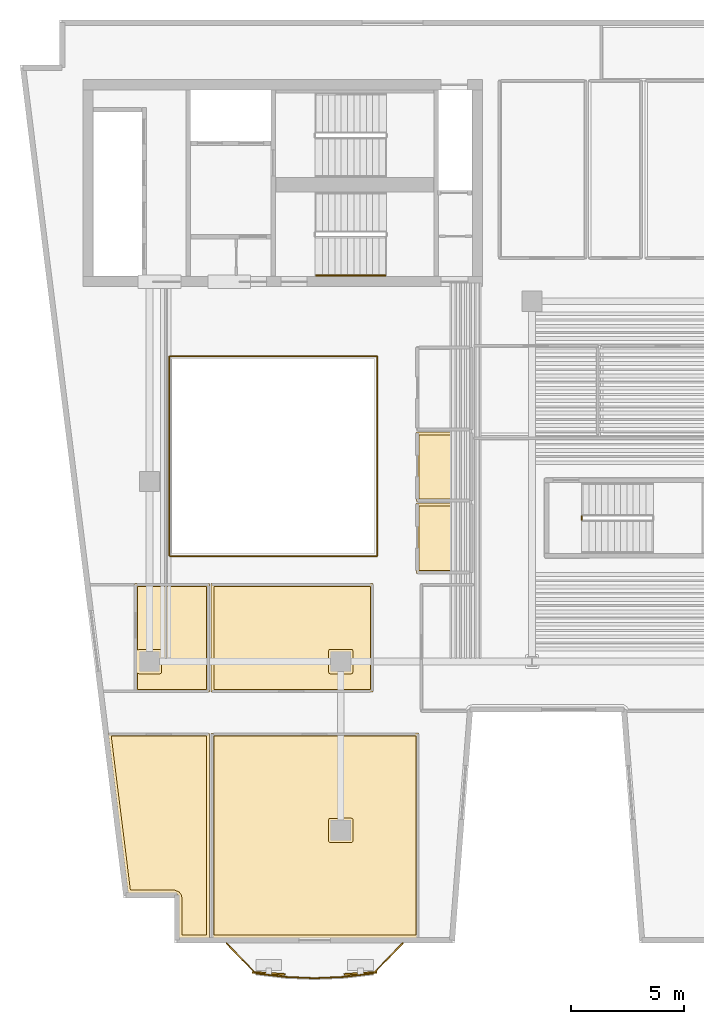
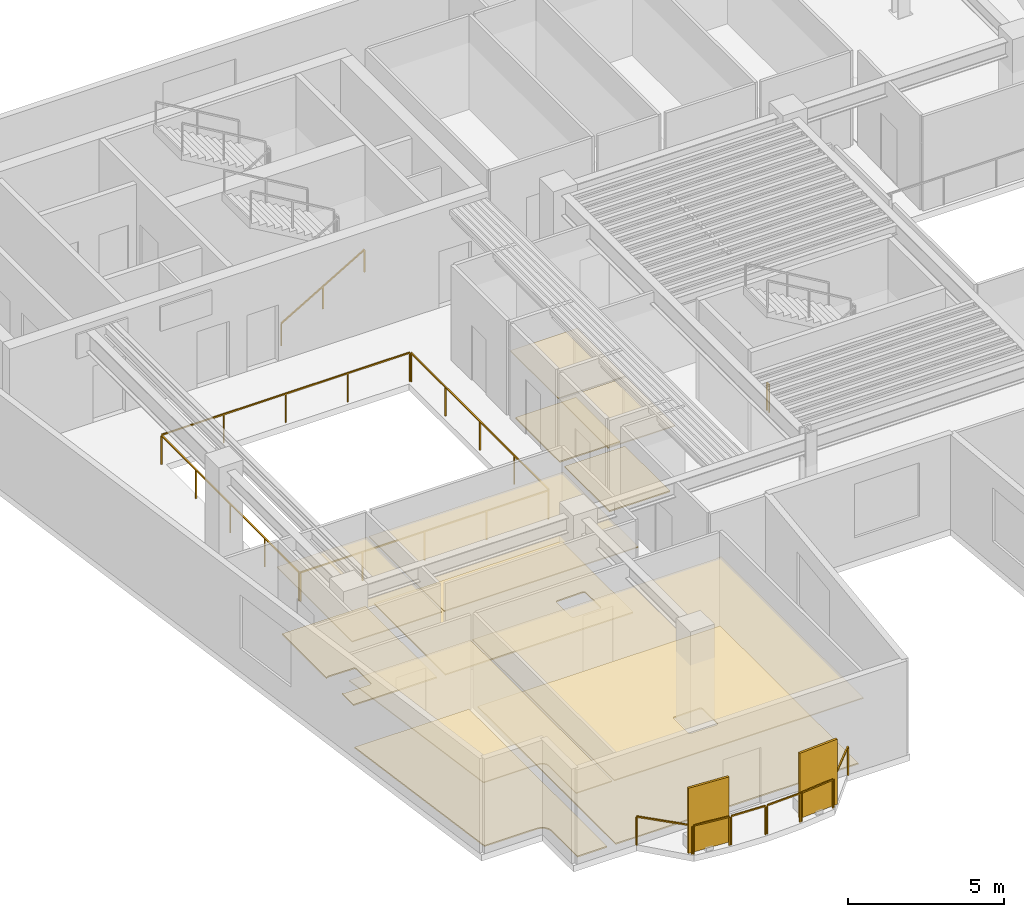
# One storey, part 7 of 9: 12 coverings, 12 railings, 2 shading devices.
"""IFC4 building model written with IfcOpenShell, lengths in metres."""

from ifc_helpers import new_model, si_unit, direction, frame, origin, origin_2d, place, context, subcontext, project, spatial, polyline, rectangle, outline, extrude, material, layer, layer_set, type_object, element, save


model = new_model("IFC4")

# Units and contexts
model_context = context("Model", 3, precision=1e-05, world=origin(), true_north=direction((0.0, 1.0)))
body_context = subcontext(model_context, "Body", "Model", "MODEL_VIEW")
ifc_project = project(units=[si_unit("LENGTHUNIT", "METRE"), si_unit("AREAUNIT", "SQUARE_METRE"), si_unit("VOLUMEUNIT", "CUBIC_METRE"), si_unit("PLANEANGLEUNIT", "RADIAN"), si_unit("MASSUNIT", "GRAM", prefix="KILO")], contexts=[model_context])

# Site, building, storey
site_placement = place(None, origin())
site = spatial("IfcSite", under=ifc_project, at=site_placement, CompositionType="ELEMENT")
building_placement = place(site_placement, origin())
building = spatial("IfcBuilding", under=site, at=building_placement, Name="Caeloran Harvest Quay", CompositionType="ELEMENT")
storey_placement = place(building_placement, frame((0.0, 0.0, 207.449951171875)))
storey = spatial("IfcBuildingStorey", under=building, at=storey_placement, Name="L49", CompositionType="ELEMENT", Elevation=207.449951171875)

# Coverings
ifc_material_1 = material(Name="Perforated Mineral-Fibre Acoustic Ceiling Tile", Category="ceiling")
ifc_layer_1 = layer(ifc_material_1, 0.0400390625, Name="Perforated Mineral-Fibre Acoustic Ceiling Tile")
ifc_layer_set_1 = layer_set([ifc_layer_1], Name="Perforated Mineral-Fibre Acoustic Ceiling Tile")
covering_type_1 = type_object("IfcCoveringType", Name="COV-CEILING-ACOUSTIC", PredefinedType="CEILING", material=ifc_layer_set_1)
covering_1_placement = place(storey_placement, frame((0.0, 0.0, 2.60009765625)))
element("IfcCovering", 1, at=covering_1_placement, inside=storey, type_object=covering_type_1, Name="L49 Female Washroom WC Acoustic Ceiling", PredefinedType="CEILING", context=body_context, shape_type="SweptSolid", body=[
    extrude(outline(polyline([(22.840087890625, 25.18994140625), (22.840087890625, 22.110107421875), (20.360107421875, 22.110107421875), (20.360107421875, 25.18994140625), (22.840087890625, 25.18994140625)])), origin(), (0.0, 0.0, 1.0), 0.0400390625),
])
covering_2_placement = place(storey_placement, frame((0.0, 0.0, 2.60009765625)))
element("IfcCovering", 2, at=covering_2_placement, inside=storey, type_object=covering_type_1, Name="L49 Accessible Unisex Washroom WC Acoustic Ceiling", PredefinedType="CEILING", context=body_context, shape_type="SweptSolid", body=[
    extrude(outline(polyline([(22.840087890625, 22.0400390625), (22.840087890625, 18.919921875), (20.360107421875, 18.919921875), (20.360107421875, 22.0400390625), (22.840087890625, 22.0400390625)])), origin(), (0.0, 0.0, 1.0), 0.0400390625),
])
covering_3_placement = place(storey_placement, frame((0.0, 0.0, 2.60009765625)))
element("IfcCovering", 3, at=covering_3_placement, inside=storey, type_object=covering_type_1, Name="Food-Security Culinary Kitchen Acoustic Ceiling", PredefinedType="CEILING", context=body_context, shape_type="SweptSolid", body=[
    extrude(outline(polyline([(11.239990234375, 11.81005859375), (20.31298828125, 11.81005859375), (20.320068359375, 11.830078125), (20.4599609375, 11.830078125), (20.4599609375, 2.719970703125), (11.239990234375, 2.719970703125), (11.239990234375, 11.81005859375)])), origin(), (0.0, 0.0, 1.0), 0.0400390625),
])
covering_4_placement = place(storey_placement, frame((0.0, 0.0, 2.60009765625)))
element("IfcCovering", 4, at=covering_4_placement, inside=storey, type_object=covering_type_1, Name="Policy Seminar Meeting Hall Acoustic Ceiling", PredefinedType="CEILING", context=body_context, shape_type="SweptSolid", body=[
    extrude(outline(polyline([(9.80615234375, 4.584228515625), (9.742431640625, 4.669921875), (9.62451171875, 4.718994140625), (7.54833984375, 4.719970703125), (6.666015625, 11.81005859375), (11.159912109375, 11.81005859375), (11.159912109375, 2.719970703125), (9.822998046875, 2.719970703125), (9.822998046875, 4.4990234375), (9.80615234375, 4.584228515625)])), origin(), (0.0, 0.0, 1.0), 0.0400390625),
])
covering_5_placement = place(storey_placement, frame((0.0, 0.0, 2.60009765625)))
element("IfcCovering", 5, at=covering_5_placement, inside=storey, type_object=covering_type_1, Name="Econometric Wet Laboratory Acoustic Ceiling", PredefinedType="CEILING", context=body_context, shape_type="SweptSolid", body=[
    extrude(outline(polyline([(7.840087890625, 13.639892578125), (7.840087890625, 18.4599609375), (11.159912109375, 18.4599609375), (11.159912109375, 13.639892578125), (7.840087890625, 13.639892578125)])), origin(), (0.0, 0.0, 1.0), 0.0400390625),
])
covering_6_placement = place(storey_placement, frame((0.0, 0.0, 2.60009765625)))
element("IfcCovering", 6, at=covering_6_placement, inside=storey, type_object=covering_type_1, Name="Fellows Tasting Kitchen Acoustic Ceiling", PredefinedType="CEILING", context=body_context, shape_type="SweptSolid", body=[
    extrude(outline(polyline([(18.429931640625, 13.639892578125), (11.239990234375, 13.639892578125), (11.239990234375, 18.4599609375), (18.429931640625, 18.4599609375), (18.429931640625, 13.639892578125)])), origin(), (0.0, 0.0, 1.0), 0.0400390625),
])
ifc_material_2 = material(Name="Calcium-Sulphate Raised Access Floor and Terrazzo Finish", Category="flooring")
ifc_layer_2 = layer(ifc_material_2, 0.050048828125, Name="Calcium-Sulphate Raised Access Floor and Terrazzo Finish")
ifc_layer_set_2 = layer_set([ifc_layer_2], Name="Calcium-Sulphate Raised Access Floor and Terrazzo Finish")
covering_type_2 = type_object("IfcCoveringType", Name="COV-FLOOR-RAISED", PredefinedType="FLOORING", material=ifc_layer_set_2)
covering_7_placement = place(storey_placement, origin())
element("IfcCovering", 7, at=covering_7_placement, inside=storey, type_object=covering_type_2, Name="L49 Female Washroom WC Raised Finish Flooring", PredefinedType="FLOORING", context=body_context, shape_type="SweptSolid", body=[
    extrude(outline(polyline([(22.719970703125, 25.070068359375), (22.719970703125, 22.22998046875), (20.47998046875, 22.22998046875), (20.47998046875, 25.070068359375), (22.719970703125, 25.070068359375)])), origin(), (0.0, 0.0, 1.0), 0.050048828125),
])
covering_8_placement = place(storey_placement, origin())
element("IfcCovering", 8, at=covering_8_placement, inside=storey, type_object=covering_type_2, Name="L49 Accessible Unisex Washroom WC Raised Finish Flooring", PredefinedType="FLOORING", context=body_context, shape_type="SweptSolid", body=[
    extrude(outline(polyline([(22.719970703125, 21.919921875), (22.719970703125, 19.0400390625), (20.47998046875, 19.0400390625), (20.47998046875, 21.919921875), (22.719970703125, 21.919921875)])), origin(), (0.0, 0.0, 1.0), 0.050048828125),
])
covering_9_placement = place(storey_placement, origin())
element("IfcCovering", 9, at=covering_9_placement, inside=storey, type_object=covering_type_2, Name="Food-Security Culinary Kitchen Raised Finish Flooring", PredefinedType="FLOORING", context=body_context, shape_type="SweptSolid", body=[
    extrude(outline(polyline([(11.360107421875, 2.840087890625), (11.360107421875, 11.68994140625), (20.340087890625, 11.69189453125), (20.340087890625, 2.840087890625), (11.360107421875, 2.840087890625)]), holes=[polyline([(17.465087890625, 8.044921875), (16.484130859375, 8.02685546875), (16.455322265625, 7.972900390625), (16.455078125, 7.034912109375), (16.478515625, 6.978515625), (16.534912109375, 6.955078125), (17.465087890625, 6.955078125), (17.521484375, 6.978515625), (17.544921875, 7.034912109375), (17.544921875, 7.965087890625), (17.521484375, 8.021484375), (17.465087890625, 8.044921875)])]), origin(), (0.0, 0.0, 1.0), 0.050048828125),
])
covering_10_placement = place(storey_placement, origin())
element("IfcCovering", 10, at=covering_10_placement, inside=storey, type_object=covering_type_2, Name="Policy Seminar Meeting Hall Raised Finish Flooring", PredefinedType="FLOORING", context=body_context, shape_type="SweptSolid", body=[
    extrude(outline(polyline([(9.91845703125, 4.62646484375), (9.815673828125, 4.76513671875), (9.63232421875, 4.838623046875), (7.654296875, 4.840087890625), (6.8017578125, 11.68994140625), (11.0400390625, 11.68994140625), (11.0400390625, 2.840087890625), (9.943115234375, 2.840087890625), (9.943115234375, 4.5), (9.91845703125, 4.62646484375)])), origin(), (0.0, 0.0, 1.0), 0.050048828125),
])
covering_11_placement = place(storey_placement, origin())
element("IfcCovering", 11, at=covering_11_placement, inside=storey, type_object=covering_type_2, Name="Econometric Wet Laboratory Raised Finish Flooring", PredefinedType="FLOORING", context=body_context, shape_type="SweptSolid", body=[
    extrude(outline(polyline([(7.9599609375, 14.50732421875), (8.027099609375, 14.455322265625), (8.965087890625, 14.455078125), (9.021484375, 14.478515625), (9.044921875, 14.534912109375), (9.044921875, 15.465087890625), (9.015869140625, 15.52685546875), (8.034912109375, 15.544921875), (7.9599609375, 15.49267578125), (7.9599609375, 18.340087890625), (11.0400390625, 18.340087890625), (11.0400390625, 13.760009765625), (7.9599609375, 13.760009765625), (7.9599609375, 14.50732421875)])), origin(), (0.0, 0.0, 1.0), 0.050048828125),
])
covering_12_placement = place(storey_placement, origin())
element("IfcCovering", 12, at=covering_12_placement, inside=storey, type_object=covering_type_2, Name="Fellows Tasting Kitchen Raised Finish Flooring", PredefinedType="FLOORING", context=body_context, shape_type="SweptSolid", body=[
    extrude(outline(polyline([(18.31005859375, 18.340087890625), (18.31005859375, 13.760009765625), (11.360107421875, 13.760009765625), (11.360107421875, 18.340087890625), (18.31005859375, 18.340087890625)]), holes=[polyline([(17.465087890625, 15.544921875), (16.484130859375, 15.52685546875), (16.455322265625, 15.472900390625), (16.455078125, 14.534912109375), (16.478515625, 14.478515625), (16.534912109375, 14.455078125), (17.465087890625, 14.455078125), (17.521484375, 14.478515625), (17.544921875, 14.534912109375), (17.544921875, 15.465087890625), (17.521484375, 15.521484375), (17.465087890625, 15.544921875)])]), origin(), (0.0, 0.0, 1.0), 0.050048828125),
])

# Railings
ifc_material_3 = material(Name="Powder-Coated Steel Post and Laminated Glass Guardrail", Category="steel")
ifc_layer_3 = layer(ifc_material_3, 0.06005859375, Name="Powder-Coated Steel Post and Laminated Glass Guardrail")
ifc_layer_set_3 = layer_set([ifc_layer_3], Name="Powder-Coated Steel Post and Laminated Glass Guardrail")
railing_type_1 = type_object("IfcRailingType", Name="GUARD-ATRIUM-1150", PredefinedType="GUARDRAIL", material=ifc_layer_set_3)
railing_1_placement = place(storey_placement, frame((9.412109375, 19.679931640625, 0.0)))
element("IfcRailing", 13, at=railing_1_placement, inside=storey, type_object=railing_type_1, Name="L49 Skylit Atrium Void Perimeter Guardrail Seg 1", PredefinedType="GUARDRAIL", context=body_context, shape_type="SweptSolid", body=[
    extrude(rectangle(XDim=0.048095703125, YDim=0.048095703125, at=origin_2d()), frame((0.0, 0.0, 1.1259765625), z_axis=(1.0, 0.0, 0.0), x_axis=(0.0, 1.0, 0.0)), (0.0, 0.0, 1.0), 9.17578125),
    extrude(rectangle(XDim=0.0419921875, YDim=0.0419921875, at=origin_2d()), origin(), (0.0, 0.0, 1.0), 1.101806640625),
    extrude(rectangle(XDim=0.0419921875, YDim=0.0419921875, at=origin_2d()), frame((2.2939453125, 0.0, 0.0)), (0.0, 0.0, 1.0), 1.101806640625),
    extrude(rectangle(XDim=0.0419921875, YDim=0.0419921875, at=origin_2d()), frame((4.587890625, 0.0, 0.0)), (0.0, 0.0, 1.0), 1.101806640625),
    extrude(rectangle(XDim=0.0419921875, YDim=0.0419921875, at=origin_2d()), frame((6.8818359375, 0.0, 0.0)), (0.0, 0.0, 1.0), 1.101806640625),
    extrude(rectangle(XDim=0.0419921875, YDim=0.0419921875, at=origin_2d()), frame((9.17578125, 0.0, 0.0)), (0.0, 0.0, 1.0), 1.101806640625),
])
railing_2_placement = place(storey_placement, frame((18.6201171875, 19.7119140625, 0.0)))
element("IfcRailing", 14, at=railing_2_placement, inside=storey, type_object=railing_type_1, Name="L49 Skylit Atrium Void Perimeter Guardrail Seg 2", PredefinedType="GUARDRAIL", context=body_context, shape_type="SweptSolid", body=[
    extrude(rectangle(XDim=0.048095703125, YDim=0.048095703125, at=origin_2d()), frame((0.0, 0.0, 1.1259765625), z_axis=(0.0, 1.0, 0.0), x_axis=(-1.0, 0.0, 0.0)), (0.0, 0.0, 1.0), 8.826171875),
    extrude(rectangle(XDim=0.0419921875, YDim=0.0419921875, at=origin_2d()), origin(), (0.0, 0.0, 1.0), 1.101806640625),
    extrude(rectangle(XDim=0.0419921875, YDim=0.0419921875, at=origin_2d()), frame((0.0, 2.20654296875, 0.0)), (0.0, 0.0, 1.0), 1.101806640625),
    extrude(rectangle(XDim=0.0419921875, YDim=0.0419921875, at=origin_2d()), frame((0.0, 4.4130859375, 0.0)), (0.0, 0.0, 1.0), 1.101806640625),
    extrude(rectangle(XDim=0.0419921875, YDim=0.0419921875, at=origin_2d()), frame((0.0, 6.61962890625, 0.0)), (0.0, 0.0, 1.0), 1.101806640625),
    extrude(rectangle(XDim=0.0419921875, YDim=0.0419921875, at=origin_2d()), frame((0.0, 8.826171875, 0.0)), (0.0, 0.0, 1.0), 1.101806640625),
])
railing_3_placement = place(storey_placement, frame((18.587890625, 28.570068359375, 0.0)))
element("IfcRailing", 15, at=railing_3_placement, inside=storey, type_object=railing_type_1, Name="L49 Skylit Atrium Void Perimeter Guardrail Seg 3", PredefinedType="GUARDRAIL", context=body_context, shape_type="SweptSolid", body=[
    extrude(rectangle(XDim=0.048095703125, YDim=0.048095703125, at=origin_2d()), frame((0.0, 0.0, 1.1259765625), z_axis=(-1.0, 0.0, 0.0), x_axis=(0.0, -1.0, 0.0)), (0.0, 0.0, 1.0), 9.17578125),
    extrude(rectangle(XDim=0.0419921875, YDim=0.0419921875, at=origin_2d()), origin(), (0.0, 0.0, 1.0), 1.101806640625),
    extrude(rectangle(XDim=0.0419921875, YDim=0.0419921875, at=origin_2d()), frame((-2.2939453125, 0.0, 0.0)), (0.0, 0.0, 1.0), 1.101806640625),
    extrude(rectangle(XDim=0.0419921875, YDim=0.0419921875, at=origin_2d()), frame((-4.587890625, 0.0, 0.0)), (0.0, 0.0, 1.0), 1.101806640625),
    extrude(rectangle(XDim=0.0419921875, YDim=0.0419921875, at=origin_2d()), frame((-6.8818359375, 0.0, 0.0)), (0.0, 0.0, 1.0), 1.101806640625),
    extrude(rectangle(XDim=0.0419921875, YDim=0.0419921875, at=origin_2d()), frame((-9.17578125, 0.0, 0.0)), (0.0, 0.0, 1.0), 1.101806640625),
])
railing_4_placement = place(storey_placement, frame((9.3798828125, 28.5380859375, 0.0)))
element("IfcRailing", 16, at=railing_4_placement, inside=storey, type_object=railing_type_1, Name="L49 Skylit Atrium Void Perimeter Guardrail Seg 4", PredefinedType="GUARDRAIL", context=body_context, shape_type="SweptSolid", body=[
    extrude(rectangle(XDim=0.048095703125, YDim=0.048095703125, at=origin_2d()), frame((0.0, 0.0, 1.1259765625), z_axis=(0.0, -1.0, 0.0), x_axis=(1.0, 0.0, 0.0)), (0.0, 0.0, 1.0), 8.826171875),
    extrude(rectangle(XDim=0.0419921875, YDim=0.0419921875, at=origin_2d()), origin(), (0.0, 0.0, 1.0), 1.101806640625),
    extrude(rectangle(XDim=0.0419921875, YDim=0.0419921875, at=origin_2d()), frame((0.0, -2.20654296875, 0.0)), (0.0, 0.0, 1.0), 1.101806640625),
    extrude(rectangle(XDim=0.0419921875, YDim=0.0419921875, at=origin_2d()), frame((0.0, -4.4130859375, 0.0)), (0.0, 0.0, 1.0), 1.101806640625),
    extrude(rectangle(XDim=0.0419921875, YDim=0.0419921875, at=origin_2d()), frame((0.0, -6.61962890625, 0.0)), (0.0, 0.0, 1.0), 1.101806640625),
    extrude(rectangle(XDim=0.0419921875, YDim=0.0419921875, at=origin_2d()), frame((0.0, -8.826171875, 0.0)), (0.0, 0.0, 1.0), 1.101806640625),
])
ifc_material_4 = material(Name="Laminated Safety Glass and Stainless Steel 316", Category="steel")
ifc_layer_4 = layer(ifc_material_4, 0.06005859375, Name="Laminated Safety Glass and Stainless Steel 316")
ifc_layer_set_4 = layer_set([ifc_layer_4], Name="Laminated Safety Glass and Stainless Steel 316")
railing_type_2 = type_object("IfcRailingType", Name="GUARD-BALUSTRADE-1150", PredefinedType="BALUSTRADE", material=ifc_layer_set_4)
railing_5_placement = place(storey_placement, frame((19.74609375, 2.47998046875, 0.0)))
element("IfcRailing", 17, at=railing_5_placement, inside=storey, type_object=railing_type_2, Name="L49 Planted Balcony Perimeter Balustrade Guard Seg 1", PredefinedType="BALUSTRADE", context=body_context, shape_type="SweptSolid", body=[
    extrude(rectangle(XDim=0.048095703125, YDim=0.048095703125, at=origin_2d()), frame((0.0, 0.0, 1.1259765625), z_axis=(-0.697474864034, -0.716609247806, 0.0), x_axis=(0.716609247806, -0.697474864034, 0.0)), (0.0, 0.0, 1.0), 1.83740234375),
    extrude(rectangle(XDim=0.0419921875, YDim=0.0419921875, at=origin_2d()), origin(), (0.0, 0.0, 1.0), 1.101806640625),
    extrude(rectangle(XDim=0.0419921875, YDim=0.0419921875, at=origin_2d()), frame((-1.281494140625, -1.316650390625, 0.0)), (0.0, 0.0, 1.0), 1.101806640625),
])
railing_6_placement = place(storey_placement, frame((18.410400390625, 1.13671875, 0.0)))
element("IfcRailing", 18, at=railing_6_placement, inside=storey, type_object=railing_type_2, Name="L49 Planted Balcony Perimeter Balustrade Guard Seg 2", PredefinedType="BALUSTRADE", context=body_context, shape_type="SweptSolid", body=[
    extrude(rectangle(XDim=0.048095703125, YDim=0.048095703125, at=origin_2d()), frame((0.0, 0.0, 1.1259765625), z_axis=(-0.993142595144, -0.116909305491, 0.0), x_axis=(0.116909305491, -0.993142595144, 0.0)), (0.0, 0.0, 1.0), 1.248779296875),
    extrude(rectangle(XDim=0.0419921875, YDim=0.0419921875, at=origin_2d()), origin(), (0.0, 0.0, 1.0), 1.101806640625),
    extrude(rectangle(XDim=0.0419921875, YDim=0.0419921875, at=origin_2d()), frame((-1.240234375, -0.14599609375, 0.0)), (0.0, 0.0, 1.0), 1.101806640625),
])
railing_7_placement = place(storey_placement, frame((17.106201171875, 0.985595703125, 0.0)))
element("IfcRailing", 19, at=railing_7_placement, inside=storey, type_object=railing_type_2, Name="L49 Planted Balcony Perimeter Balustrade Guard Seg 3", PredefinedType="BALUSTRADE", context=body_context, shape_type="SweptSolid", body=[
    extrude(rectangle(XDim=0.048095703125, YDim=0.048095703125, at=origin_2d()), frame((0.0, 0.0, 1.1259765625), z_axis=(-0.99907976701, -0.042890781648, 0.0), x_axis=(0.042890781648, -0.99907976701, 0.0)), (0.0, 0.0, 1.0), 1.240966796875),
    extrude(rectangle(XDim=0.0419921875, YDim=0.0419921875, at=origin_2d()), origin(), (0.0, 0.0, 1.0), 1.101806640625),
    extrude(rectangle(XDim=0.0419921875, YDim=0.0419921875, at=origin_2d()), frame((-1.23974609375, -0.05322265625, 0.0)), (0.0, 0.0, 1.0), 1.101806640625),
])
railing_8_placement = place(storey_placement, frame((15.802490234375, 0.932373046875, 0.0)))
element("IfcRailing", 20, at=railing_8_placement, inside=storey, type_object=railing_type_2, Name="L49 Planted Balcony Perimeter Balustrade Guard Seg 4", PredefinedType="BALUSTRADE", context=body_context, shape_type="SweptSolid", body=[
    extrude(rectangle(XDim=0.048095703125, YDim=0.048095703125, at=origin_2d()), frame((0.0, 0.0, 1.1259765625), z_axis=(-0.99907976701, 0.042890781648, 0.0), x_axis=(-0.042890781648, -0.99907976701, 0.0)), (0.0, 0.0, 1.0), 1.240966796875),
    extrude(rectangle(XDim=0.0419921875, YDim=0.0419921875, at=origin_2d()), origin(), (0.0, 0.0, 1.0), 1.101806640625),
    extrude(rectangle(XDim=0.0419921875, YDim=0.0419921875, at=origin_2d()), frame((-1.23974609375, 0.05322265625, 0.0)), (0.0, 0.0, 1.0), 1.101806640625),
])
railing_9_placement = place(storey_placement, frame((14.498779296875, 0.99072265625, 0.0)))
element("IfcRailing", 21, at=railing_9_placement, inside=storey, type_object=railing_type_2, Name="L49 Planted Balcony Perimeter Balustrade Guard Seg 5", PredefinedType="BALUSTRADE", context=body_context, shape_type="SweptSolid", body=[
    extrude(rectangle(XDim=0.048095703125, YDim=0.048095703125, at=origin_2d()), frame((0.0, 0.0, 1.1259765625), z_axis=(-0.993142595144, 0.116909305491, 0.0), x_axis=(-0.116909305491, -0.993142595144, 0.0)), (0.0, 0.0, 1.0), 1.248779296875),
    extrude(rectangle(XDim=0.0419921875, YDim=0.0419921875, at=origin_2d()), origin(), (0.0, 0.0, 1.0), 1.101806640625),
    extrude(rectangle(XDim=0.0419921875, YDim=0.0419921875, at=origin_2d()), frame((-1.240234375, 0.14599609375, 0.0)), (0.0, 0.0, 1.0), 1.101806640625),
])
railing_10_placement = place(storey_placement, frame((13.20458984375, 1.163330078125, 0.0)))
element("IfcRailing", 22, at=railing_10_placement, inside=storey, type_object=railing_type_2, Name="L49 Planted Balcony Perimeter Balustrade Guard Seg 6", PredefinedType="BALUSTRADE", context=body_context, shape_type="SweptSolid", body=[
    extrude(rectangle(XDim=0.048095703125, YDim=0.048095703125, at=origin_2d()), frame((0.0, 0.0, 1.1259765625), z_axis=(-0.697474864034, 0.716609247806, 0.0), x_axis=(-0.716609247806, -0.697474864034, 0.0)), (0.0, 0.0, 1.0), 1.83740234375),
    extrude(rectangle(XDim=0.0419921875, YDim=0.0419921875, at=origin_2d()), origin(), (0.0, 0.0, 1.0), 1.101806640625),
    extrude(rectangle(XDim=0.0419921875, YDim=0.0419921875, at=origin_2d()), frame((-1.281494140625, 1.316650390625, 0.0)), (0.0, 0.0, 1.0), 1.101806640625),
])

# Shading devices
ifc_material_5 = material(Name="3003-H14 Perforated Powder-Coated Aluminium", Category="aluminium")
shading_device_type = type_object("IfcShadingDeviceType", Name="SHADE-SCREEN-FOLDED", PredefinedType="USERDEFINED", material=ifc_material_5)
for number, where, z_axis, x_axis, name in (
    (23, (17.868408203125, 1.144775390625, 0.0751953125), (0.0, 0.0, 1.0), (0.997801468292, 0.0662739004, 0.0), "L49 Folded Facade Breathing Screen 1"),
    (24, (13.800537109375, 1.144775390625, 0.0751953125), (0.0, 0.0, 1.0), (0.997801468292, -0.0662739004, 0.0), "L49 Folded Facade Breathing Screen 2"),
):
    element("IfcShadingDevice", number, at=place(storey_placement, frame(where, z_axis=z_axis, x_axis=x_axis)), inside=storey, type_object=shading_device_type, Name=name, ObjectType="SCREEN", PredefinedType="USERDEFINED", context=body_context, shape_type="SweptSolid", body=[
        extrude(rectangle(XDim=1.449951171875, YDim=0.080078125, at=origin_2d()), origin(), (0.0, 0.0, 1.0), 2.550048828125),
    ])

# Railings
ifc_material_6 = material(Name="Painted Steel Baluster and Top-Rail Stair Guard", Category="steel")
ifc_layer_5 = layer(ifc_material_6, 0.050048828125, Name="Painted Steel Baluster and Top-Rail Stair Guard")
ifc_layer_set_5 = layer_set([ifc_layer_5], Name="Painted Steel Baluster and Top-Rail Stair Guard")
railing_type_3 = type_object("IfcRailingType", Name="STAIR-GUARD-1100", PredefinedType="GUARDRAIL", material=ifc_layer_set_5)
railing_11_placement = place(storey_placement, frame((27.699951171875, 21.300048828125, 0.0)))
element("IfcRailing", 25, at=railing_11_placement, inside=storey, type_object=railing_type_3, Name="L49 ST-W1 stair guard 4", PredefinedType="GUARDRAIL", context=body_context, shape_type="SweptSolid", body=[
    extrude(rectangle(XDim=0.048095703125, YDim=0.048095703125, at=origin_2d()), frame((0.0, 0.0, 1.076171875), z_axis=(0.0, 1.0, 0.0), x_axis=(-1.0, 0.0, 0.0)), (0.0, 0.0, 1.0), 0.14990234375),
    extrude(rectangle(XDim=0.0419921875, YDim=0.0419921875, at=origin_2d()), origin(), (0.0, 0.0, 1.0), 1.052001953125),
    extrude(rectangle(XDim=0.0419921875, YDim=0.0419921875, at=origin_2d()), frame((0.0, 0.14990234375, 0.0)), (0.0, 0.0, 1.0), 1.052001953125),
])
ifc_material_7 = material(Name="Brushed Stainless Steel Grade 304", Category="steel")
ifc_layer_6 = layer(ifc_material_7, 0.050048828125, Name="Brushed Stainless Steel Grade 304")
ifc_layer_set_6 = layer_set([ifc_layer_6], Name="Brushed Stainless Steel Grade 304")
railing_type_4 = type_object("IfcRailingType", Name="STAIR-HANDRAIL-900", PredefinedType="HANDRAIL", material=ifc_layer_set_6)
railing_12_placement = place(storey_placement, frame((15.89990234375, 32.14990234375, 0.16455078125)))
element("IfcRailing", 26, at=railing_12_placement, inside=storey, type_object=railing_type_4, Name="L49 ST-C2 stair handrail 1", PredefinedType="HANDRAIL", context=body_context, shape_type="SweptSolid", body=[
    extrude(rectangle(XDim=0.048095703125, YDim=0.048095703125, at=origin_2d()), frame((0.0, 0.0, 0.8759765625), z_axis=(0.862088758681, 0.0, 0.506757310905), x_axis=(0.0, 1.0, 0.0)), (0.0, 0.0, 1.0), 3.57275390625),
    extrude(rectangle(XDim=0.0419921875, YDim=0.0419921875, at=origin_2d()), origin(), (0.0, 0.0, 1.0), 0.851806640625),
    extrude(rectangle(XDim=0.0419921875, YDim=0.0419921875, at=origin_2d()), frame((1.5400390625, 0.0, 0.9052734375)), (0.0, 0.0, 1.0), 0.851806640625),
    extrude(rectangle(XDim=0.0419921875, YDim=0.0419921875, at=origin_2d()), frame((3.080078125, 0.0, 1.810546875)), (0.0, 0.0, 1.0), 0.851806640625),
])

save(model, "model.ifc")
